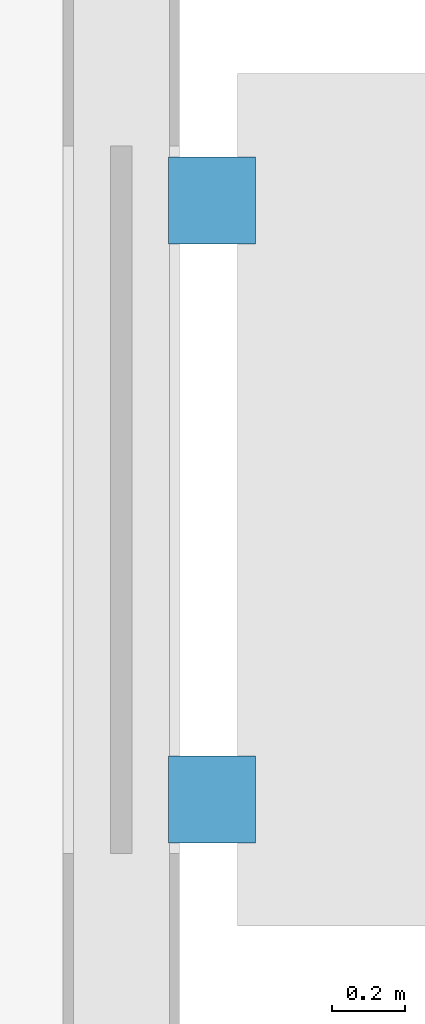
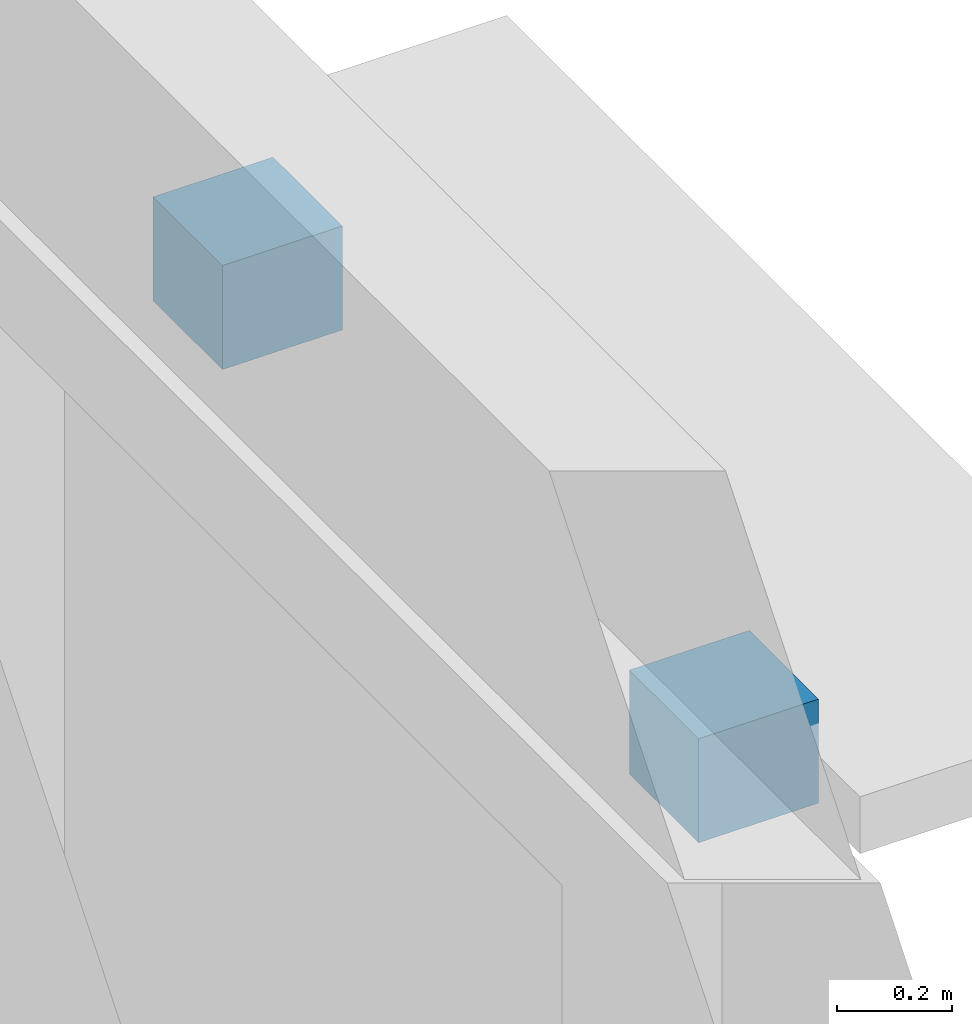
# One storey, part 36 of 40: 2 discrete accessories.
"""IFC4 building model written with IfcOpenShell, lengths in metres."""

from ifc_helpers import new_model, si_unit, direction, frame, origin, origin_2d, place, context, subcontext, project, spatial, rectangle, extrude, material, type_object, element, save


model = new_model("IFC4")

# Units and contexts
model_context = context("Model", 3, precision=1e-05, world=origin(), true_north=direction((0.0, 1.0)))
body_context = subcontext(model_context, "Body", "Model", "MODEL_VIEW")
ifc_project = project(units=[si_unit("LENGTHUNIT", "METRE"), si_unit("AREAUNIT", "SQUARE_METRE"), si_unit("VOLUMEUNIT", "CUBIC_METRE"), si_unit("PLANEANGLEUNIT", "RADIAN"), si_unit("MASSUNIT", "GRAM", prefix="KILO")], contexts=[model_context])

# Site, building, storey
site_placement = place(None, origin())
site = spatial("IfcSite", under=ifc_project, at=site_placement, CompositionType="ELEMENT")
building_placement = place(site_placement, origin())
building = spatial("IfcBuilding", under=site, at=building_placement, Name="Veldera Park Congress Hotel", CompositionType="ELEMENT")
storey_placement = place(building_placement, frame((0.0, 0.0, 16.199951171875)))
storey = spatial("IfcBuildingStorey", under=building, at=storey_placement, Name="L03", CompositionType="ELEMENT", Elevation=16.199951171875)

# Discrete accessories
ifc_material = material(Name="Steel ASTM A992 Gr.50", Category="steel")
discrete_accessory_type = type_object("IfcDiscreteAccessoryType", Name="ACC-BRK160", PredefinedType="BRACKET", material=ifc_material)
for number, where, z_axis, x_axis, name in (
    (1, (84.25, 43.535888671875, 2.72021484375), (0.0, 0.0, 1.0), (0.0, 1.0, 0.0), "Shading Steel Outrigger Bracket 137L"),
    (2, (84.25, 45.18603515625, 2.72021484375), (0.0, 0.0, 1.0), (0.0, 1.0, 0.0), "Shading Steel Outrigger Bracket 137R"),
):
    element("IfcDiscreteAccessory", number, at=place(storey_placement, frame(where, z_axis=z_axis, x_axis=x_axis)), inside=storey, type_object=discrete_accessory_type, Name=name, PredefinedType="BRACKET", context=body_context, shape_type="SweptSolid", body=[
        extrude(rectangle(XDim=0.239990234375, YDim=0.239990234375, at=origin_2d()), origin(), (0.0, 0.0, 1.0), 0.219970703125),
    ])

save(model, "model.ifc")
